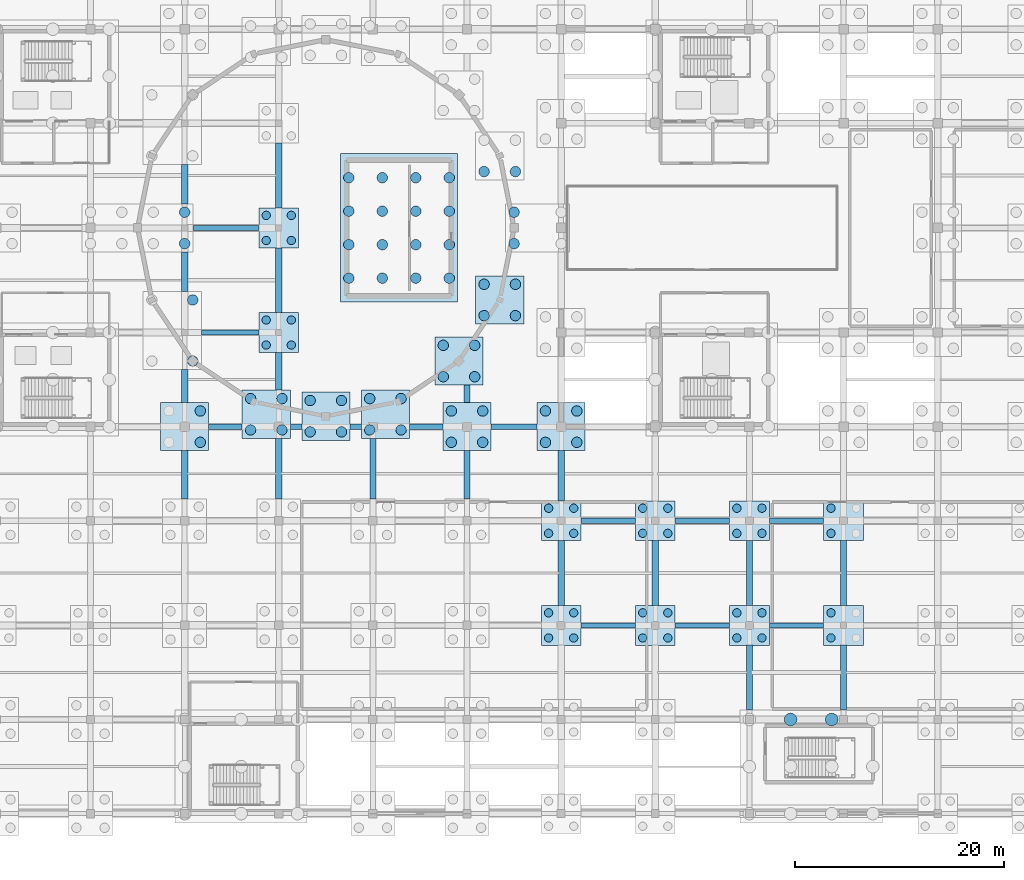
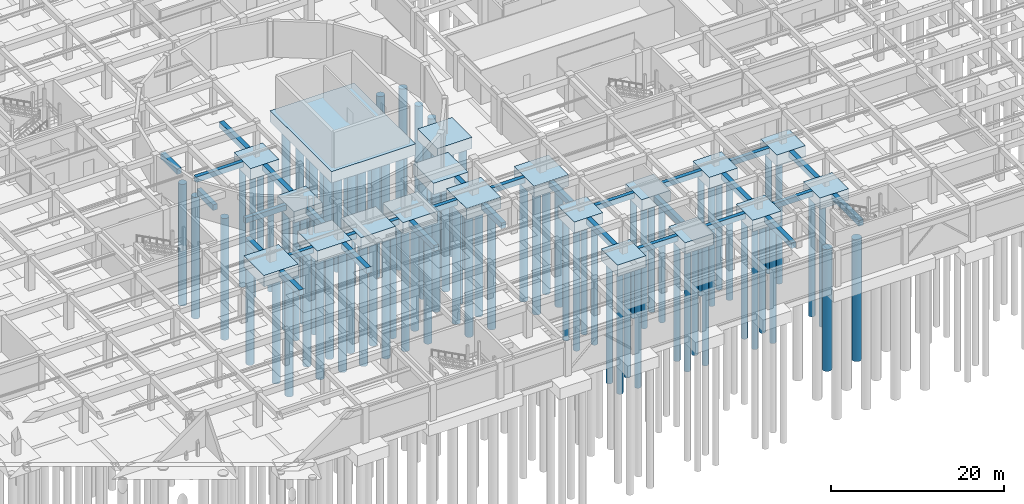
# One storey, part 4 of 62: 92 piles, 50 footings.
"""IFC4 building model written with IfcOpenShell, lengths in metres."""

from ifc_helpers import new_model, si_unit, direction, frame, origin, origin_2d, place, context, subcontext, project, spatial, polyline, rectangle, circle, outline, extrude, material, material_profile, profile_set, type_object, element, save


model = new_model("IFC4")

# Units and contexts
model_context = context("Model", 3, precision=1e-05, world=origin(), true_north=direction((0.0, 1.0)))
body_context = subcontext(model_context, "Body", "Model", "MODEL_VIEW")
ifc_project = project(units=[si_unit("LENGTHUNIT", "METRE"), si_unit("AREAUNIT", "SQUARE_METRE"), si_unit("VOLUMEUNIT", "CUBIC_METRE"), si_unit("PLANEANGLEUNIT", "RADIAN"), si_unit("MASSUNIT", "GRAM", prefix="KILO")], contexts=[model_context])

# Site, building, storey
site_placement = place(None, origin())
site = spatial("IfcSite", under=ifc_project, at=site_placement, CompositionType="ELEMENT")
building_placement = place(site_placement, origin())
building = spatial("IfcBuilding", under=site, at=building_placement, Name="Miravela Opera House", CompositionType="ELEMENT")
storey_placement = place(building_placement, frame((0.0, 0.0, -5.10009765625)))
storey = spatial("IfcBuildingStorey", under=building, at=storey_placement, Name="B01", CompositionType="ELEMENT", Elevation=-5.10009765625)

# Footings
ifc_material_1 = material(Name="Concrete C35/45", Category="concrete")
footing_type_1 = type_object("IfcFootingType", Name="STR-GB-500X750", PredefinedType="FOOTING_BEAM", material=ifc_material_1)
footing_1_placement = place(storey_placement, frame((0.0, 0.0, -0.75)))
element("IfcFooting", 1, at=footing_1_placement, inside=storey, type_object=footing_type_1, Name="Seismic Grade Tie Beam GB-X-221", PredefinedType="FOOTING_BEAM", context=body_context, shape_type="SweptSolid", body=[
    extrude(outline(polyline([(100.89990234375, 17.75), (106.10009765625, 17.75), (106.10009765625, 18.25), (100.89990234375, 18.25), (100.89990234375, 17.75)])), origin(), (0.0, 0.0, 1.0), 0.75),
])
footing_2_placement = place(storey_placement, frame((0.0, 0.0, -0.75)))
element("IfcFooting", 2, at=footing_2_placement, inside=storey, type_object=footing_type_1, Name="Seismic Grade Tie Beam GB-X-222", PredefinedType="FOOTING_BEAM", context=body_context, shape_type="SweptSolid", body=[
    extrude(outline(polyline([(109.89990234375, 17.75), (115.10009765625, 17.75), (115.10009765625, 18.25), (109.89990234375, 18.25), (109.89990234375, 17.75)])), origin(), (0.0, 0.0, 1.0), 0.75),
])
footing_3_placement = place(storey_placement, frame((0.0, 0.0, -0.75)))
element("IfcFooting", 3, at=footing_3_placement, inside=storey, type_object=footing_type_1, Name="Seismic Grade Tie Beam GB-X-223", PredefinedType="FOOTING_BEAM", context=body_context, shape_type="SweptSolid", body=[
    extrude(outline(polyline([(118.89990234375, 17.75), (124.10009765625, 17.75), (124.10009765625, 18.25), (118.89990234375, 18.25), (118.89990234375, 17.75)])), origin(), (0.0, 0.0, 1.0), 0.75),
])
footing_4_placement = place(storey_placement, frame((0.0, 0.0, -0.75)))
element("IfcFooting", 4, at=footing_4_placement, inside=storey, type_object=footing_type_1, Name="Seismic Grade Tie Beam GB-X-239", PredefinedType="FOOTING_BEAM", context=body_context, shape_type="SweptSolid", body=[
    extrude(outline(polyline([(100.89990234375, 27.75), (106.10009765625, 27.75), (106.10009765625, 28.25), (100.89990234375, 28.25), (100.89990234375, 27.75)])), origin(), (0.0, 0.0, 1.0), 0.75),
])
footing_5_placement = place(storey_placement, frame((0.0, 0.0, -0.75)))
element("IfcFooting", 5, at=footing_5_placement, inside=storey, type_object=footing_type_1, Name="Seismic Grade Tie Beam GB-X-240", PredefinedType="FOOTING_BEAM", context=body_context, shape_type="SweptSolid", body=[
    extrude(outline(polyline([(109.89990234375, 27.75), (115.10009765625, 27.75), (115.10009765625, 28.25), (109.89990234375, 28.25), (109.89990234375, 27.75)])), origin(), (0.0, 0.0, 1.0), 0.75),
])
footing_6_placement = place(storey_placement, frame((0.0, 0.0, -0.75)))
element("IfcFooting", 6, at=footing_6_placement, inside=storey, type_object=footing_type_1, Name="Seismic Grade Tie Beam GB-X-241", PredefinedType="FOOTING_BEAM", context=body_context, shape_type="SweptSolid", body=[
    extrude(outline(polyline([(118.89990234375, 27.75), (124.10009765625, 27.75), (124.10009765625, 28.25), (118.89990234375, 28.25), (118.89990234375, 27.75)])), origin(), (0.0, 0.0, 1.0), 0.75),
])
footing_7_placement = place(storey_placement, frame((0.0, 0.0, -0.75)))
element("IfcFooting", 7, at=footing_7_placement, inside=storey, type_object=footing_type_1, Name="Seismic Grade Tie Beam GB-X-249", PredefinedType="FOOTING_BEAM", context=body_context, shape_type="SweptSolid", body=[
    extrude(outline(polyline([(65.300048828125, 36.75), (68.505859375, 36.75), (68.505859375, 37.25), (65.300048828125, 37.25), (65.300048828125, 36.75)])), origin(), (0.0, 0.0, 1.0), 0.75),
])
footing_8_placement = place(storey_placement, frame((0.0, 0.0, -0.75)))
element("IfcFooting", 8, at=footing_8_placement, inside=storey, type_object=footing_type_1, Name="Seismic Grade Tie Beam GB-X-250", PredefinedType="FOOTING_BEAM", context=body_context, shape_type="SweptSolid", body=[
    extrude(outline(polyline([(73.105712890625, 36.75), (74.199951171875, 36.75), (74.199951171875, 37.25), (73.105712890625, 37.25), (73.105712890625, 36.75)])), origin(), (0.0, 0.0, 1.0), 0.75),
])
footing_9_placement = place(storey_placement, frame((0.0, 0.0, -0.75)))
element("IfcFooting", 9, at=footing_9_placement, inside=storey, type_object=footing_type_1, Name="Seismic Grade Tie Beam GB-X-251", PredefinedType="FOOTING_BEAM", context=body_context, shape_type="SweptSolid", body=[
    extrude(outline(polyline([(78.800048828125, 36.75), (79.894287109375, 36.75), (79.894287109375, 37.25), (78.800048828125, 37.25), (78.800048828125, 36.75)])), origin(), (0.0, 0.0, 1.0), 0.75),
])
footing_10_placement = place(storey_placement, frame((0.0, 0.0, -0.75)))
element("IfcFooting", 10, at=footing_10_placement, inside=storey, type_object=footing_type_1, Name="Seismic Grade Tie Beam GB-X-252", PredefinedType="FOOTING_BEAM", context=body_context, shape_type="SweptSolid", body=[
    extrude(outline(polyline([(84.494140625, 36.75), (87.699951171875, 36.75), (87.699951171875, 37.25), (84.494140625, 37.25), (84.494140625, 36.75)])), origin(), (0.0, 0.0, 1.0), 0.75),
])
footing_11_placement = place(storey_placement, frame((0.0, 0.0, -0.75)))
element("IfcFooting", 11, at=footing_11_placement, inside=storey, type_object=footing_type_1, Name="Seismic Grade Tie Beam GB-X-253", PredefinedType="FOOTING_BEAM", context=body_context, shape_type="SweptSolid", body=[
    extrude(outline(polyline([(92.300048828125, 36.75), (96.699951171875, 36.75), (96.699951171875, 37.25), (92.300048828125, 37.25), (92.300048828125, 36.75)])), origin(), (0.0, 0.0, 1.0), 0.75),
])
footing_12_placement = place(storey_placement, frame((0.0, 0.0, -0.75)))
element("IfcFooting", 12, at=footing_12_placement, inside=storey, type_object=footing_type_1, Name="Seismic Grade Tie Beam GB-X-263", PredefinedType="FOOTING_BEAM", context=body_context, shape_type="SweptSolid", body=[
    extrude(outline(polyline([(64.62109375, 45.75), (70.10009765625, 45.75), (70.10009765625, 46.25), (64.62109375, 46.25), (64.62109375, 45.75)])), origin(), (0.0, 0.0, 1.0), 0.75),
])
footing_13_placement = place(storey_placement, frame((0.0, 0.0, -0.75)))
element("IfcFooting", 13, at=footing_13_placement, inside=storey, type_object=footing_type_1, Name="Seismic Grade Tie Beam GB-X-273", PredefinedType="FOOTING_BEAM", context=body_context, shape_type="SweptSolid", body=[
    extrude(outline(polyline([(63.800048828125, 55.75), (70.10009765625, 55.75), (70.10009765625, 56.25), (63.800048828125, 56.25), (63.800048828125, 55.75)])), origin(), (0.0, 0.0, 1.0), 0.75),
])
footing_type_2 = type_object("IfcFootingType", Name="STR-GB-600X800", PredefinedType="FOOTING_BEAM", material=ifc_material_1)
footing_14_placement = place(storey_placement, frame((0.0, 0.0, -0.7998046875)))
element("IfcFooting", 14, at=footing_14_placement, inside=storey, type_object=footing_type_2, Name="Seismic Grade Tie Beam GB-Y-063", PredefinedType="FOOTING_BEAM", context=body_context, shape_type="SweptSolid", body=[
    extrude(outline(polyline([(62.699951171875, 30.10009765625), (63.300048828125, 30.10009765625), (63.300048828125, 34.699951171875), (62.699951171875, 34.699951171875), (62.699951171875, 30.10009765625)])), origin(), (0.0, 0.0, 1.0), 0.7998046875),
])
footing_15_placement = place(storey_placement, frame((0.0, 0.0, -0.7998046875)))
element("IfcFooting", 15, at=footing_15_placement, inside=storey, type_object=footing_type_2, Name="Seismic Grade Tie Beam GB-Y-064", PredefinedType="FOOTING_BEAM", context=body_context, shape_type="SweptSolid", body=[
    extrude(outline(polyline([(62.699951171875, 39.300048828125), (63.300048828125, 39.300048828125), (63.300048828125, 42.44189453125), (62.699951171875, 42.44189453125), (62.699951171875, 39.300048828125)])), origin(), (0.0, 0.0, 1.0), 0.7998046875),
])
footing_16_placement = place(storey_placement, frame((0.0, 0.0, -0.7998046875)))
element("IfcFooting", 16, at=footing_16_placement, inside=storey, type_object=footing_type_2, Name="Seismic Grade Tie Beam GB-Y-065", PredefinedType="FOOTING_BEAM", context=body_context, shape_type="SweptSolid", body=[
    extrude(outline(polyline([(62.699951171875, 49.94189453125), (63.300048828125, 49.94189453125), (63.300048828125, 53.699951171875), (62.699951171875, 53.699951171875), (62.699951171875, 49.94189453125)])), origin(), (0.0, 0.0, 1.0), 0.7998046875),
])
footing_17_placement = place(storey_placement, frame((0.0, 0.0, -0.7998046875)))
element("IfcFooting", 17, at=footing_17_placement, inside=storey, type_object=footing_type_2, Name="Seismic Grade Tie Beam GB-Y-066", PredefinedType="FOOTING_BEAM", context=body_context, shape_type="SweptSolid", body=[
    extrude(outline(polyline([(62.699951171875, 58.300048828125), (63.300048828125, 58.300048828125), (63.300048828125, 62.05810546875), (62.699951171875, 62.05810546875), (62.699951171875, 58.300048828125)])), origin(), (0.0, 0.0, 1.0), 0.7998046875),
])
footing_18_placement = place(storey_placement, frame((0.0, 0.0, -0.7998046875)))
element("IfcFooting", 18, at=footing_18_placement, inside=storey, type_object=footing_type_2, Name="Seismic Grade Tie Beam GB-Y-073", PredefinedType="FOOTING_BEAM", context=body_context, shape_type="SweptSolid", body=[
    extrude(outline(polyline([(71.699951171875, 30.10009765625), (72.300048828125, 30.10009765625), (72.300048828125, 35.885009765625), (71.699951171875, 35.885009765625), (71.699951171875, 30.10009765625)])), origin(), (0.0, 0.0, 1.0), 0.7998046875),
])
footing_19_placement = place(storey_placement, frame((0.0, 0.0, -0.7998046875)))
element("IfcFooting", 19, at=footing_19_placement, inside=storey, type_object=footing_type_2, Name="Seismic Grade Tie Beam GB-Y-074", PredefinedType="FOOTING_BEAM", context=body_context, shape_type="SweptSolid", body=[
    extrude(outline(polyline([(71.699951171875, 40.485107421875), (72.300048828125, 40.485107421875), (72.300048828125, 44.10009765625), (71.699951171875, 44.10009765625), (71.699951171875, 40.485107421875)])), origin(), (0.0, 0.0, 1.0), 0.7998046875),
])
footing_20_placement = place(storey_placement, frame((0.0, 0.0, -0.7998046875)))
element("IfcFooting", 20, at=footing_20_placement, inside=storey, type_object=footing_type_2, Name="Seismic Grade Tie Beam GB-Y-075", PredefinedType="FOOTING_BEAM", context=body_context, shape_type="SweptSolid", body=[
    extrude(outline(polyline([(71.699951171875, 47.89990234375), (72.300048828125, 47.89990234375), (72.300048828125, 54.10009765625), (71.699951171875, 54.10009765625), (71.699951171875, 47.89990234375)])), origin(), (0.0, 0.0, 1.0), 0.7998046875),
])
footing_21_placement = place(storey_placement, frame((0.0, 0.0, -0.7998046875)))
element("IfcFooting", 21, at=footing_21_placement, inside=storey, type_object=footing_type_2, Name="Seismic Grade Tie Beam GB-Y-076", PredefinedType="FOOTING_BEAM", context=body_context, shape_type="SweptSolid", body=[
    extrude(outline(polyline([(71.699951171875, 57.89990234375), (72.300048828125, 57.89990234375), (72.300048828125, 64.10009765625), (71.699951171875, 64.10009765625), (71.699951171875, 57.89990234375)])), origin(), (0.0, 0.0, 1.0), 0.7998046875),
])
footing_22_placement = place(storey_placement, frame((0.0, 0.0, -0.7998046875)))
element("IfcFooting", 22, at=footing_22_placement, inside=storey, type_object=footing_type_2, Name="Seismic Grade Tie Beam GB-Y-084", PredefinedType="FOOTING_BEAM", context=body_context, shape_type="SweptSolid", body=[
    extrude(outline(polyline([(80.699951171875, 30.10009765625), (81.300048828125, 30.10009765625), (81.300048828125, 35.885009765625), (80.699951171875, 35.885009765625), (80.699951171875, 30.10009765625)])), origin(), (0.0, 0.0, 1.0), 0.7998046875),
])
footing_23_placement = place(storey_placement, frame((0.0, 0.0, -0.7998046875)))
element("IfcFooting", 23, at=footing_23_placement, inside=storey, type_object=footing_type_2, Name="Seismic Grade Tie Beam GB-Y-091", PredefinedType="FOOTING_BEAM", context=body_context, shape_type="SweptSolid", body=[
    extrude(outline(polyline([(89.699951171875, 30.10009765625), (90.300048828125, 30.10009765625), (90.300048828125, 34.699951171875), (89.699951171875, 34.699951171875), (89.699951171875, 30.10009765625)])), origin(), (0.0, 0.0, 1.0), 0.7998046875),
])
footing_24_placement = place(storey_placement, frame((0.0, 0.0, -0.7998046875)))
element("IfcFooting", 24, at=footing_24_placement, inside=storey, type_object=footing_type_2, Name="Seismic Grade Tie Beam GB-Y-092", PredefinedType="FOOTING_BEAM", context=body_context, shape_type="SweptSolid", body=[
    extrude(outline(polyline([(89.699951171875, 39.300048828125), (90.300048828125, 39.300048828125), (90.300048828125, 40.97216796875), (89.699951171875, 40.97216796875), (89.699951171875, 39.300048828125)])), origin(), (0.0, 0.0, 1.0), 0.7998046875),
])
footing_25_placement = place(storey_placement, frame((0.0, 0.0, -0.7998046875)))
element("IfcFooting", 25, at=footing_25_placement, inside=storey, type_object=footing_type_2, Name="Seismic Grade Tie Beam GB-Y-100", PredefinedType="FOOTING_BEAM", context=body_context, shape_type="SweptSolid", body=[
    extrude(outline(polyline([(98.699951171875, 19.89990234375), (99.300048828125, 19.89990234375), (99.300048828125, 26.10009765625), (98.699951171875, 26.10009765625), (98.699951171875, 19.89990234375)])), origin(), (0.0, 0.0, 1.0), 0.7998046875),
])
footing_26_placement = place(storey_placement, frame((0.0, 0.0, -0.7998046875)))
element("IfcFooting", 26, at=footing_26_placement, inside=storey, type_object=footing_type_2, Name="Seismic Grade Tie Beam GB-Y-101", PredefinedType="FOOTING_BEAM", context=body_context, shape_type="SweptSolid", body=[
    extrude(outline(polyline([(98.699951171875, 29.89990234375), (99.300048828125, 29.89990234375), (99.300048828125, 34.699951171875), (98.699951171875, 34.699951171875), (98.699951171875, 29.89990234375)])), origin(), (0.0, 0.0, 1.0), 0.7998046875),
])
footing_27_placement = place(storey_placement, frame((0.0, 0.0, -0.7998046875)))
element("IfcFooting", 27, at=footing_27_placement, inside=storey, type_object=footing_type_2, Name="Seismic Grade Tie Beam GB-Y-112", PredefinedType="FOOTING_BEAM", context=body_context, shape_type="SweptSolid", body=[
    extrude(outline(polyline([(107.699951171875, 19.89990234375), (108.300048828125, 19.89990234375), (108.300048828125, 26.10009765625), (107.699951171875, 26.10009765625), (107.699951171875, 19.89990234375)])), origin(), (0.0, 0.0, 1.0), 0.7998046875),
])
footing_28_placement = place(storey_placement, frame((0.0, 0.0, -0.7998046875)))
element("IfcFooting", 28, at=footing_28_placement, inside=storey, type_object=footing_type_2, Name="Seismic Grade Tie Beam GB-Y-118", PredefinedType="FOOTING_BEAM", context=body_context, shape_type="SweptSolid", body=[
    extrude(outline(polyline([(116.699951171875, 9.89990234375), (117.300048828125, 9.89990234375), (117.300048828125, 16.10009765625), (116.699951171875, 16.10009765625), (116.699951171875, 9.89990234375)])), origin(), (0.0, 0.0, 1.0), 0.7998046875),
])
footing_29_placement = place(storey_placement, frame((0.0, 0.0, -0.7998046875)))
element("IfcFooting", 29, at=footing_29_placement, inside=storey, type_object=footing_type_2, Name="Seismic Grade Tie Beam GB-Y-119", PredefinedType="FOOTING_BEAM", context=body_context, shape_type="SweptSolid", body=[
    extrude(outline(polyline([(116.699951171875, 19.89990234375), (117.300048828125, 19.89990234375), (117.300048828125, 26.10009765625), (116.699951171875, 26.10009765625), (116.699951171875, 19.89990234375)])), origin(), (0.0, 0.0, 1.0), 0.7998046875),
])
footing_30_placement = place(storey_placement, frame((0.0, 0.0, -0.7998046875)))
element("IfcFooting", 30, at=footing_30_placement, inside=storey, type_object=footing_type_2, Name="Seismic Grade Tie Beam GB-Y-124", PredefinedType="FOOTING_BEAM", context=body_context, shape_type="SweptSolid", body=[
    extrude(outline(polyline([(125.699951171875, 9.89990234375), (126.300048828125, 9.89990234375), (126.300048828125, 16.10009765625), (125.699951171875, 16.10009765625), (125.699951171875, 9.89990234375)])), origin(), (0.0, 0.0, 1.0), 0.7998046875),
])
footing_31_placement = place(storey_placement, frame((0.0, 0.0, -0.7998046875)))
element("IfcFooting", 31, at=footing_31_placement, inside=storey, type_object=footing_type_2, Name="Seismic Grade Tie Beam GB-Y-125", PredefinedType="FOOTING_BEAM", context=body_context, shape_type="SweptSolid", body=[
    extrude(outline(polyline([(125.699951171875, 19.89990234375), (126.300048828125, 19.89990234375), (126.300048828125, 26.10009765625), (125.699951171875, 26.10009765625), (125.699951171875, 19.89990234375)])), origin(), (0.0, 0.0, 1.0), 0.7998046875),
])
footing_type_3 = type_object("IfcFootingType", Name="STR-PC-3800X3800X1600", PredefinedType="PILE_CAP", material=ifc_material_1)
for number, where, z_axis, x_axis, name in (
    (32, (72.0, 46.0, -1.599853515625), (0.0, 0.0, 1.0), (1.0, 0.0, 0.0), "Pile Cap PC-B01-080 (PC-01)"),
    (33, (72.0, 56.0, -1.599853515625), (0.0, 0.0, 1.0), (1.0, 0.0, 0.0), "Pile Cap PC-B01-081 (PC-01)"),
    (34, (99.0, 18.0, -1.599853515625), (0.0, 0.0, 1.0), (1.0, 0.0, 0.0), "Pile Cap PC-B01-113 (PC-01)"),
    (35, (99.0, 28.0, -1.599853515625), (0.0, 0.0, 1.0), (1.0, 0.0, 0.0), "Pile Cap PC-B01-114 (PC-01)"),
    (36, (108.0, 18.0, -1.599853515625), (0.0, 0.0, 1.0), (1.0, 0.0, 0.0), "Pile Cap PC-B01-126 (PC-01)"),
    (37, (108.0, 28.0, -1.599853515625), (0.0, 0.0, 1.0), (1.0, 0.0, 0.0), "Pile Cap PC-B01-127 (PC-01)"),
    (38, (117.0, 18.0, -1.599853515625), (0.0, 0.0, 1.0), (1.0, 0.0, 0.0), "Pile Cap PC-B01-135 (PC-01)"),
    (39, (117.0, 28.0, -1.599853515625), (0.0, 0.0, 1.0), (1.0, 0.0, 0.0), "Pile Cap PC-B01-136 (PC-01)"),
    (40, (126.0, 18.0, -1.599853515625), (0.0, 0.0, 1.0), (1.0, 0.0, 0.0), "Pile Cap PC-B01-140 (PC-01)"),
    (41, (126.0, 28.0, -1.599853515625), (0.0, 0.0, 1.0), (1.0, 0.0, 0.0), "Pile Cap PC-B01-141 (PC-01)"),
):
    element("IfcFooting", number, at=place(storey_placement, frame(where, z_axis=z_axis, x_axis=x_axis)), inside=storey, type_object=footing_type_3, Name=name, PredefinedType="PILE_CAP", context=body_context, shape_type="SweptSolid", body=[
        extrude(rectangle(XDim=3.800048828125, YDim=3.800048828125, at=origin_2d()), origin(), (0.0, 0.0, 1.0), 1.60009765625),
    ])
footing_type_4 = type_object("IfcFootingType", Name="STR-PC-4600X4600X1600", PredefinedType="PILE_CAP", material=ifc_material_1)
for number, where, z_axis, x_axis, name in (
    (42, (63.0, 37.0, -1.599853515625), (0.0, 0.0, 1.0), (1.0, 0.0, 0.0), "Pile Cap PC-B01-071 (PC-04)"),
    (43, (70.805908203125, 38.18505859375, -1.599853515625), (0.0, 0.0, 1.0), (1.0, 0.0, 0.0), "Pile Cap PC-B01-079 (PC-04)"),
    (44, (76.5, 38.0, -1.599853515625), (0.0, 0.0, 1.0), (1.0, 0.0, 0.0), "Pile Cap PC-B01-086 (PC-04)"),
    (45, (82.194091796875, 38.18505859375, -1.599853515625), (0.0, 0.0, 1.0), (1.0, 0.0, 0.0), "Pile Cap PC-B01-092 (PC-04)"),
    (46, (89.227783203125, 43.272216796875, -1.599853515625), (0.0, 0.0, 1.0), (1.0, 0.0, 0.0), "Pile Cap PC-B01-097 (PC-04)"),
    (47, (90.0, 37.0, -1.599853515625), (0.0, 0.0, 1.0), (1.0, 0.0, 0.0), "Pile Cap PC-B01-103 (PC-04)"),
    (48, (93.1298828125, 49.11181640625, -1.599853515625), (0.0, 0.0, 1.0), (1.0, 0.0, 0.0), "Pile Cap PC-B01-109 (PC-04)"),
    (49, (99.0, 37.0, -1.599853515625), (0.0, 0.0, 1.0), (1.0, 0.0, 0.0), "Pile Cap PC-B01-115 (PC-04)"),
):
    element("IfcFooting", number, at=place(storey_placement, frame(where, z_axis=z_axis, x_axis=x_axis)), inside=storey, type_object=footing_type_4, Name=name, PredefinedType="PILE_CAP", context=body_context, shape_type="SweptSolid", body=[
        extrude(rectangle(XDim=4.60009765625, YDim=4.60009765625, at=origin_2d()), origin(), (0.0, 0.0, 1.0), 1.60009765625),
    ])
ifc_material_2 = material(Name="Concrete C40/50", Category="concrete")
footing_type_5 = type_object("IfcFootingType", Name="STR-PC-PIT-11200X14200X1600", PredefinedType="PILE_CAP", material=ifc_material_2)
footing_32_placement = place(storey_placement, frame((83.5, 56.0, -1.599853515625), z_axis=(0.0, 0.0, 1.0), x_axis=(1.0, 0.0, 0.0)))
element("IfcFooting", 50, at=footing_32_placement, inside=storey, type_object=footing_type_5, Name="Orchestra Pit Foundation Mat Cap PC-PIT", PredefinedType="PILE_CAP", context=body_context, shape_type="SweptSolid", body=[
    extrude(rectangle(XDim=11.199951171875, YDim=14.199951171875, at=origin_2d()), origin(), (0.0, 0.0, 1.0), 1.60009765625),
])

# Piles
ifc_material_profile_1 = material_profile(ifc_material_1, circle(Radius=0.5, at=origin_2d()), Name="PILE-D1000")
ifc_profile_set_1 = profile_set([ifc_material_profile_1])
pile_type_1 = type_object("IfcPileType", Name="STR-PILE-D1000", PredefinedType="BORED", material=ifc_profile_set_1)
for number, where, z_axis, x_axis, name in (
    (51, (63.0, 54.5, -1.449951171875), (0.0, 0.0, -1.0), (1.0, 0.0, 0.0), "Bored Pile P-270"),
    (52, (63.0, 57.5, -1.449951171875), (0.0, 0.0, -1.0), (1.0, 0.0, 0.0), "Bored Pile P-271"),
    (53, (64.5, 35.5, -1.449951171875), (0.0, 0.0, -1.0), (1.0, 0.0, 0.0), "Bored Pile P-307"),
    (54, (64.5, 38.5, -1.449951171875), (0.0, 0.0, -1.0), (1.0, 0.0, 0.0), "Bored Pile P-308"),
    (55, (63.772216796875, 43.272216796875, -1.449951171875), (0.0, 0.0, -1.0), (1.0, 0.0, 0.0), "Bored Pile P-311"),
    (56, (63.772216796875, 49.11181640625, -1.449951171875), (0.0, 0.0, -1.0), (1.0, 0.0, 0.0), "Bored Pile P-312"),
    (57, (69.305908203125, 36.68505859375, -1.449951171875), (0.0, 0.0, -1.0), (1.0, 0.0, 0.0), "Bored Pile P-337"),
    (58, (69.305908203125, 39.68505859375, -1.449951171875), (0.0, 0.0, -1.0), (1.0, 0.0, 0.0), "Bored Pile P-338"),
    (59, (72.305908203125, 36.68505859375, -1.449951171875), (0.0, 0.0, -1.0), (1.0, 0.0, 0.0), "Bored Pile P-339"),
    (60, (72.305908203125, 39.68505859375, -1.449951171875), (0.0, 0.0, -1.0), (1.0, 0.0, 0.0), "Bored Pile P-340"),
    (61, (75.0, 36.5, -1.449951171875), (0.0, 0.0, -1.0), (1.0, 0.0, 0.0), "Bored Pile P-365"),
    (62, (75.0, 39.5, -1.449951171875), (0.0, 0.0, -1.0), (1.0, 0.0, 0.0), "Bored Pile P-366"),
    (63, (78.0, 36.5, -1.449951171875), (0.0, 0.0, -1.0), (1.0, 0.0, 0.0), "Bored Pile P-367"),
    (64, (78.0, 39.5, -1.449951171875), (0.0, 0.0, -1.0), (1.0, 0.0, 0.0), "Bored Pile P-368"),
    (65, (80.694091796875, 36.68505859375, -1.449951171875), (0.0, 0.0, -1.0), (1.0, 0.0, 0.0), "Bored Pile P-389"),
    (66, (80.694091796875, 39.68505859375, -1.449951171875), (0.0, 0.0, -1.0), (1.0, 0.0, 0.0), "Bored Pile P-390"),
    (67, (83.694091796875, 36.68505859375, -1.449951171875), (0.0, 0.0, -1.0), (1.0, 0.0, 0.0), "Bored Pile P-391"),
    (68, (83.694091796875, 39.68505859375, -1.449951171875), (0.0, 0.0, -1.0), (1.0, 0.0, 0.0), "Bored Pile P-392"),
    (69, (87.727783203125, 41.772216796875, -1.449951171875), (0.0, 0.0, -1.0), (1.0, 0.0, 0.0), "Bored Pile P-426"),
    (70, (87.727783203125, 44.772216796875, -1.449951171875), (0.0, 0.0, -1.0), (1.0, 0.0, 0.0), "Bored Pile P-427"),
    (71, (90.727783203125, 41.772216796875, -1.449951171875), (0.0, 0.0, -1.0), (1.0, 0.0, 0.0), "Bored Pile P-428"),
    (72, (90.727783203125, 44.772216796875, -1.449951171875), (0.0, 0.0, -1.0), (1.0, 0.0, 0.0), "Bored Pile P-429"),
    (73, (88.5, 35.5, -1.449951171875), (0.0, 0.0, -1.0), (1.0, 0.0, 0.0), "Bored Pile P-450"),
    (74, (88.5, 38.5, -1.449951171875), (0.0, 0.0, -1.0), (1.0, 0.0, 0.0), "Bored Pile P-451"),
    (75, (91.5, 35.5, -1.449951171875), (0.0, 0.0, -1.0), (1.0, 0.0, 0.0), "Bored Pile P-452"),
    (76, (91.5, 38.5, -1.449951171875), (0.0, 0.0, -1.0), (1.0, 0.0, 0.0), "Bored Pile P-453"),
    (77, (91.6298828125, 47.61181640625, -1.449951171875), (0.0, 0.0, -1.0), (1.0, 0.0, 0.0), "Bored Pile P-474"),
    (78, (91.6298828125, 50.61181640625, -1.449951171875), (0.0, 0.0, -1.0), (1.0, 0.0, 0.0), "Bored Pile P-475"),
    (79, (94.6298828125, 47.61181640625, -1.449951171875), (0.0, 0.0, -1.0), (1.0, 0.0, 0.0), "Bored Pile P-476"),
    (80, (94.6298828125, 50.61181640625, -1.449951171875), (0.0, 0.0, -1.0), (1.0, 0.0, 0.0), "Bored Pile P-477"),
    (81, (91.6298828125, 61.38818359375, -1.449951171875), (0.0, 0.0, -1.0), (1.0, 0.0, 0.0), "Bored Pile P-478"),
    (82, (94.6298828125, 61.38818359375, -1.449951171875), (0.0, 0.0, -1.0), (1.0, 0.0, 0.0), "Bored Pile P-480"),
    (83, (97.5, 35.5, -1.449951171875), (0.0, 0.0, -1.0), (1.0, 0.0, 0.0), "Bored Pile P-498"),
    (84, (97.5, 38.5, -1.449951171875), (0.0, 0.0, -1.0), (1.0, 0.0, 0.0), "Bored Pile P-499"),
    (85, (100.5, 35.5, -1.449951171875), (0.0, 0.0, -1.0), (1.0, 0.0, 0.0), "Bored Pile P-500"),
    (86, (100.5, 38.5, -1.449951171875), (0.0, 0.0, -1.0), (1.0, 0.0, 0.0), "Bored Pile P-501"),
    (87, (94.5, 54.5, -1.449951171875), (0.0, 0.0, -1.0), (1.0, 0.0, 0.0), "Bored Pile P-506"),
    (88, (94.5, 57.5, -1.449951171875), (0.0, 0.0, -1.0), (1.0, 0.0, 0.0), "Bored Pile P-507"),
    (89, (78.699951171875, 51.199951171875, -1.449951171875), (0.0, 0.0, -1.0), (1.0, 0.0, 0.0), "Orchestra Pit Bored Pile P-864"),
    (90, (78.699951171875, 54.39990234375, -1.449951171875), (0.0, 0.0, -1.0), (1.0, 0.0, 0.0), "Orchestra Pit Bored Pile P-865"),
    (91, (78.699951171875, 57.60009765625, -1.449951171875), (0.0, 0.0, -1.0), (1.0, 0.0, 0.0), "Orchestra Pit Bored Pile P-866"),
    (92, (78.699951171875, 60.800048828125, -1.449951171875), (0.0, 0.0, -1.0), (1.0, 0.0, 0.0), "Orchestra Pit Bored Pile P-867"),
    (93, (81.89990234375, 51.199951171875, -1.449951171875), (0.0, 0.0, -1.0), (1.0, 0.0, 0.0), "Orchestra Pit Bored Pile P-868"),
    (94, (81.89990234375, 54.39990234375, -1.449951171875), (0.0, 0.0, -1.0), (1.0, 0.0, 0.0), "Orchestra Pit Bored Pile P-869"),
    (95, (81.89990234375, 57.60009765625, -1.449951171875), (0.0, 0.0, -1.0), (1.0, 0.0, 0.0), "Orchestra Pit Bored Pile P-870"),
    (96, (81.89990234375, 60.800048828125, -1.449951171875), (0.0, 0.0, -1.0), (1.0, 0.0, 0.0), "Orchestra Pit Bored Pile P-871"),
    (97, (85.10009765625, 51.199951171875, -1.449951171875), (0.0, 0.0, -1.0), (1.0, 0.0, 0.0), "Orchestra Pit Bored Pile P-872"),
    (98, (85.10009765625, 54.39990234375, -1.449951171875), (0.0, 0.0, -1.0), (1.0, 0.0, 0.0), "Orchestra Pit Bored Pile P-873"),
    (99, (85.10009765625, 57.60009765625, -1.449951171875), (0.0, 0.0, -1.0), (1.0, 0.0, 0.0), "Orchestra Pit Bored Pile P-874"),
    (100, (85.10009765625, 60.800048828125, -1.449951171875), (0.0, 0.0, -1.0), (1.0, 0.0, 0.0), "Orchestra Pit Bored Pile P-875"),
    (101, (88.300048828125, 51.199951171875, -1.449951171875), (0.0, 0.0, -1.0), (1.0, 0.0, 0.0), "Orchestra Pit Bored Pile P-876"),
    (102, (88.300048828125, 54.39990234375, -1.449951171875), (0.0, 0.0, -1.0), (1.0, 0.0, 0.0), "Orchestra Pit Bored Pile P-877"),
    (103, (88.300048828125, 57.60009765625, -1.449951171875), (0.0, 0.0, -1.0), (1.0, 0.0, 0.0), "Orchestra Pit Bored Pile P-878"),
    (104, (88.300048828125, 60.800048828125, -1.449951171875), (0.0, 0.0, -1.0), (1.0, 0.0, 0.0), "Orchestra Pit Bored Pile P-879"),
):
    element("IfcPile", number, at=place(storey_placement, frame(where, z_axis=z_axis, x_axis=x_axis)), inside=storey, type_object=pile_type_1, Name=name, PredefinedType="BORED", context=body_context, shape_type="SweptSolid", body=[
        extrude(circle(Radius=0.5, at=origin_2d()), origin(), (0.0, 0.0, 1.0), 17.14990234375),
    ])
ifc_material_profile_2 = material_profile(ifc_material_1, circle(Radius=0.60009765625, at=origin_2d()), Name="PILE-D1200")
ifc_profile_set_2 = profile_set([ifc_material_profile_2])
pile_type_2 = type_object("IfcPileType", Name="STR-PILE-D1200", PredefinedType="BORED", material=ifc_profile_set_2)
for number, where, z_axis, x_axis, name in (
    (105, (120.933349609375, 9.0, -1.449951171875), (0.0, 0.0, -1.0), (1.0, 0.0, 0.0), "Bored Pile P-589"),
    (106, (124.86669921875, 9.0, -1.449951171875), (0.0, 0.0, -1.0), (1.0, 0.0, 0.0), "Bored Pile P-592"),
):
    element("IfcPile", number, at=place(storey_placement, frame(where, z_axis=z_axis, x_axis=x_axis)), inside=storey, type_object=pile_type_2, Name=name, PredefinedType="BORED", context=body_context, shape_type="SweptSolid", body=[
        extrude(circle(Radius=0.60009765625, at=origin_2d()), origin(), (0.0, 0.0, 1.0), 17.14990234375),
    ])
ifc_material_profile_3 = material_profile(ifc_material_1, circle(Radius=0.39990234375, at=origin_2d()), Name="PILE-D800")
ifc_profile_set_3 = profile_set([ifc_material_profile_3])
pile_type_3 = type_object("IfcPileType", Name="STR-PILE-D800", PredefinedType="BORED", material=ifc_profile_set_3)
for number, where, z_axis, x_axis, name in (
    (107, (70.800048828125, 44.800048828125, -1.449951171875), (0.0, 0.0, -1.0), (1.0, 0.0, 0.0), "Bored Pile P-341"),
    (108, (70.800048828125, 47.199951171875, -1.449951171875), (0.0, 0.0, -1.0), (1.0, 0.0, 0.0), "Bored Pile P-342"),
    (109, (73.199951171875, 44.800048828125, -1.449951171875), (0.0, 0.0, -1.0), (1.0, 0.0, 0.0), "Bored Pile P-343"),
    (110, (73.199951171875, 47.199951171875, -1.449951171875), (0.0, 0.0, -1.0), (1.0, 0.0, 0.0), "Bored Pile P-344"),
    (111, (70.800048828125, 54.800048828125, -1.449951171875), (0.0, 0.0, -1.0), (1.0, 0.0, 0.0), "Bored Pile P-345"),
    (112, (70.800048828125, 57.199951171875, -1.449951171875), (0.0, 0.0, -1.0), (1.0, 0.0, 0.0), "Bored Pile P-346"),
    (113, (73.199951171875, 54.800048828125, -1.449951171875), (0.0, 0.0, -1.0), (1.0, 0.0, 0.0), "Bored Pile P-347"),
    (114, (73.199951171875, 57.199951171875, -1.449951171875), (0.0, 0.0, -1.0), (1.0, 0.0, 0.0), "Bored Pile P-348"),
    (115, (97.800048828125, 16.800048828125, -1.449951171875), (0.0, 0.0, -1.0), (1.0, 0.0, 0.0), "Bored Pile P-490"),
    (116, (97.800048828125, 19.199951171875, -1.449951171875), (0.0, 0.0, -1.0), (1.0, 0.0, 0.0), "Bored Pile P-491"),
    (117, (100.199951171875, 16.800048828125, -1.449951171875), (0.0, 0.0, -1.0), (1.0, 0.0, 0.0), "Bored Pile P-492"),
    (118, (100.199951171875, 19.199951171875, -1.449951171875), (0.0, 0.0, -1.0), (1.0, 0.0, 0.0), "Bored Pile P-493"),
    (119, (97.800048828125, 26.800048828125, -1.449951171875), (0.0, 0.0, -1.0), (1.0, 0.0, 0.0), "Bored Pile P-494"),
    (120, (97.800048828125, 29.199951171875, -1.449951171875), (0.0, 0.0, -1.0), (1.0, 0.0, 0.0), "Bored Pile P-495"),
    (121, (100.199951171875, 26.800048828125, -1.449951171875), (0.0, 0.0, -1.0), (1.0, 0.0, 0.0), "Bored Pile P-496"),
    (122, (100.199951171875, 29.199951171875, -1.449951171875), (0.0, 0.0, -1.0), (1.0, 0.0, 0.0), "Bored Pile P-497"),
    (123, (106.800048828125, 16.800048828125, -1.449951171875), (0.0, 0.0, -1.0), (1.0, 0.0, 0.0), "Bored Pile P-542"),
    (124, (106.800048828125, 19.199951171875, -1.449951171875), (0.0, 0.0, -1.0), (1.0, 0.0, 0.0), "Bored Pile P-543"),
    (125, (109.199951171875, 16.800048828125, -1.449951171875), (0.0, 0.0, -1.0), (1.0, 0.0, 0.0), "Bored Pile P-544"),
    (126, (109.199951171875, 19.199951171875, -1.449951171875), (0.0, 0.0, -1.0), (1.0, 0.0, 0.0), "Bored Pile P-545"),
    (127, (106.800048828125, 26.800048828125, -1.449951171875), (0.0, 0.0, -1.0), (1.0, 0.0, 0.0), "Bored Pile P-546"),
    (128, (106.800048828125, 29.199951171875, -1.449951171875), (0.0, 0.0, -1.0), (1.0, 0.0, 0.0), "Bored Pile P-547"),
    (129, (109.199951171875, 26.800048828125, -1.449951171875), (0.0, 0.0, -1.0), (1.0, 0.0, 0.0), "Bored Pile P-548"),
    (130, (109.199951171875, 29.199951171875, -1.449951171875), (0.0, 0.0, -1.0), (1.0, 0.0, 0.0), "Bored Pile P-549"),
    (131, (115.800048828125, 16.800048828125, -1.449951171875), (0.0, 0.0, -1.0), (1.0, 0.0, 0.0), "Bored Pile P-596"),
    (132, (115.800048828125, 19.199951171875, -1.449951171875), (0.0, 0.0, -1.0), (1.0, 0.0, 0.0), "Bored Pile P-597"),
    (133, (118.199951171875, 16.800048828125, -1.449951171875), (0.0, 0.0, -1.0), (1.0, 0.0, 0.0), "Bored Pile P-598"),
    (134, (118.199951171875, 19.199951171875, -1.449951171875), (0.0, 0.0, -1.0), (1.0, 0.0, 0.0), "Bored Pile P-599"),
    (135, (115.800048828125, 26.800048828125, -1.449951171875), (0.0, 0.0, -1.0), (1.0, 0.0, 0.0), "Bored Pile P-600"),
    (136, (115.800048828125, 29.199951171875, -1.449951171875), (0.0, 0.0, -1.0), (1.0, 0.0, 0.0), "Bored Pile P-601"),
    (137, (118.199951171875, 26.800048828125, -1.449951171875), (0.0, 0.0, -1.0), (1.0, 0.0, 0.0), "Bored Pile P-602"),
    (138, (118.199951171875, 29.199951171875, -1.449951171875), (0.0, 0.0, -1.0), (1.0, 0.0, 0.0), "Bored Pile P-603"),
    (139, (124.800048828125, 16.800048828125, -1.449951171875), (0.0, 0.0, -1.0), (1.0, 0.0, 0.0), "Bored Pile P-624"),
    (140, (124.800048828125, 19.199951171875, -1.449951171875), (0.0, 0.0, -1.0), (1.0, 0.0, 0.0), "Bored Pile P-625"),
    (141, (124.800048828125, 26.800048828125, -1.449951171875), (0.0, 0.0, -1.0), (1.0, 0.0, 0.0), "Bored Pile P-628"),
    (142, (124.800048828125, 29.199951171875, -1.449951171875), (0.0, 0.0, -1.0), (1.0, 0.0, 0.0), "Bored Pile P-629"),
):
    element("IfcPile", number, at=place(storey_placement, frame(where, z_axis=z_axis, x_axis=x_axis)), inside=storey, type_object=pile_type_3, Name=name, PredefinedType="BORED", context=body_context, shape_type="SweptSolid", body=[
        extrude(circle(Radius=0.39990234375, at=origin_2d()), origin(), (0.0, 0.0, 1.0), 17.14990234375),
    ])

save(model, "model.ifc")
